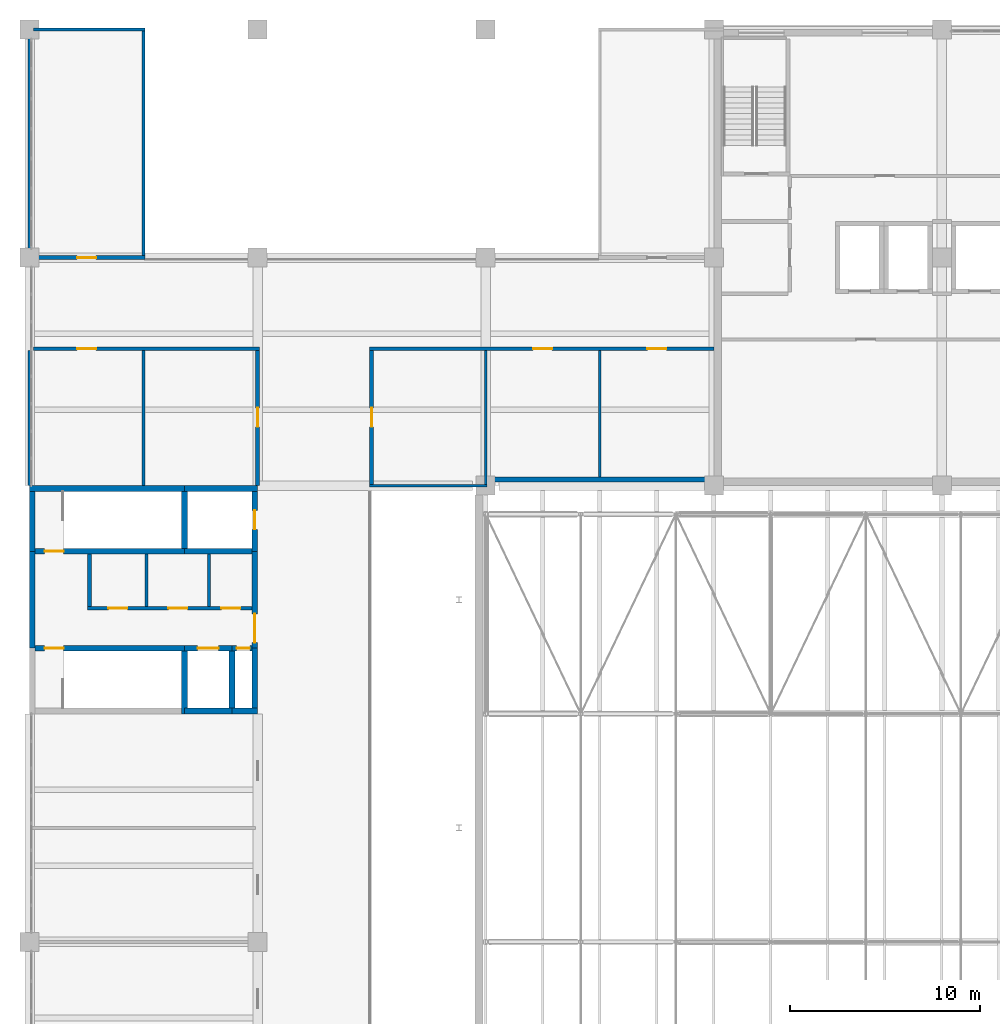
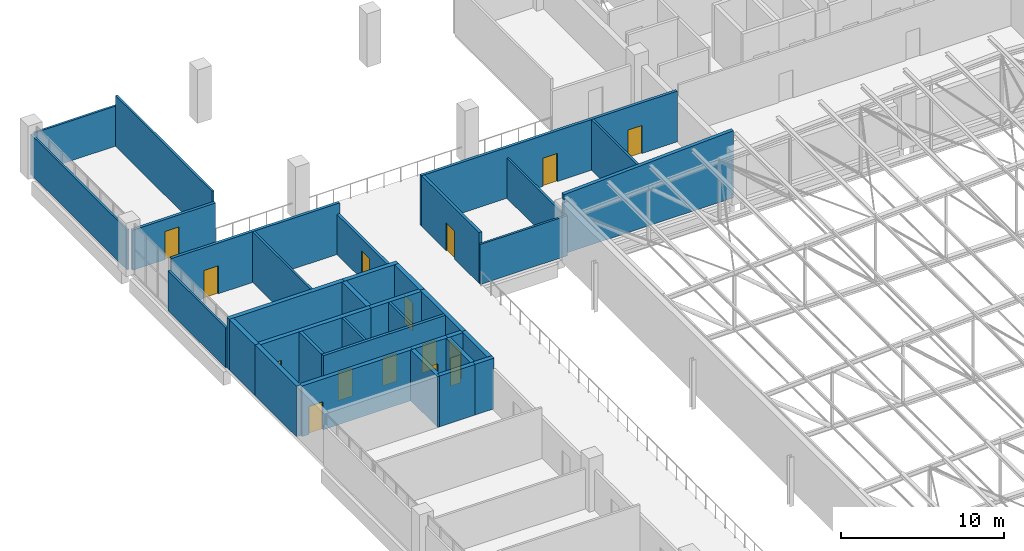
# One storey, part 147 of 156: 35 walls, 15 doors, 15 openings.
"""IFC4 building model written with IfcOpenShell, lengths in metres."""

from ifc_helpers import new_model, si_unit, direction, frame, frame_2d, origin, place, context, subcontext, project, spatial, polyline, rectangle, outline, extrude, material, layer, layer_set, type_object, element, fill, save


model = new_model("IFC4")

# Units and contexts
model_context = context("Model", 3, precision=1e-05, world=origin(), true_north=direction((0.0, 1.0)))
body_context = subcontext(model_context, "Body", "Model", "MODEL_VIEW")
ifc_project = project(units=[si_unit("LENGTHUNIT", "METRE"), si_unit("AREAUNIT", "SQUARE_METRE"), si_unit("VOLUMEUNIT", "CUBIC_METRE"), si_unit("PLANEANGLEUNIT", "RADIAN"), si_unit("MASSUNIT", "GRAM", prefix="KILO")], contexts=[model_context])

# Site, building, storey
site_placement = place(None, origin())
site = spatial("IfcSite", under=ifc_project, at=site_placement, CompositionType="ELEMENT")
building_placement = place(site_placement, origin())
building = spatial("IfcBuilding", under=site, at=building_placement, Name="Lilac Gate Convention Centre", CompositionType="ELEMENT")
storey_placement = place(building_placement, frame((0.0, 0.0, 17.0)))
storey = spatial("IfcBuildingStorey", under=building, at=storey_placement, Name="L03", CompositionType="ELEMENT", Elevation=17.0)

# Walls
ifc_material_1 = material(Name="Insulated sandwich panel, steel faces Q235, mineral wool core", Category="steel")
ifc_layer_1 = layer(ifc_material_1, 0.25)
ifc_layer_set_1 = layer_set([ifc_layer_1], Name="Insulated sandwich panel, steel faces Q235, mineral wool core")
wall_type_1 = type_object("IfcWallType", Name="Hall insulated wall panel 250", PredefinedType="STANDARD", material=ifc_layer_set_1)
wall_1_placement = place(storey_placement, frame((42.0, 222.324951171875, 0.0), z_axis=(0.0, 0.0, 1.0), x_axis=(-1.0, 0.0, 0.0)))
element("IfcWall", 1, at=wall_1_placement, inside=storey, type_object=wall_type_1, Name="External wall HX L03 gable", PredefinedType="STANDARD", context=body_context, shape_type="SweptSolid", body=[
    extrude(outline(polyline([(0.0, 0.0), (12.0, 0.0), (12.0, 4.42529296875), (0.0, 5.025146484375), (0.0, 0.0)])), frame((0.0, 0.125, 0.0), z_axis=(0.0, -1.0, 0.0), x_axis=(1.0, 0.0, 0.0)), (0.0, 0.0, 1.0), 0.25),
])
ifc_material_2 = material(Name="Fire-rated gypsum board on steel stud", Category="steel")
ifc_layer_2 = layer(ifc_material_2, 0.14990234375)
ifc_layer_set_2 = layer_set([ifc_layer_2], Name="Fire-rated gypsum board on steel stud")
wall_type_2 = type_object("IfcWallType", Name="Partition 150 fire-rated gypsum board EI 60", PredefinedType="PARTITIONING", material=ifc_layer_set_2)
wall_2_placement = place(storey_placement, frame((23.89990234375, 222.0, 0.0), z_axis=(0.0, 0.0, 1.0), x_axis=(1.0, 0.0, 0.0)))
element("IfcWall", 2, at=wall_2_placement, inside=storey, type_object=wall_type_2, Name="Partition 150 fire-rated gypsum board EI 60", PredefinedType="PARTITIONING", context=body_context, shape_type="SweptSolid", body=[
    extrude(rectangle(XDim=6.175048828125, YDim=0.14990234375, at=frame_2d((3.08740234375, 0.0))), origin(), (0.0, 0.0, 1.0), 3.0),
])
wall_3_placement = place(storey_placement, frame((6.199951171875, 246.0, 0.0), z_axis=(0.0, 0.0, 1.0), x_axis=(1.0, 0.0, 0.0)))
element("IfcWall", 3, at=wall_3_placement, inside=storey, type_object=wall_type_2, Name="Partition 150 fire-rated gypsum board EI 60", PredefinedType="PARTITIONING", context=body_context, shape_type="SweptSolid", body=[
    extrude(rectangle(XDim=5.875, YDim=0.14990234375, at=frame_2d((2.9375, 0.0))), origin(), (0.0, 0.0, 1.0), 3.0),
])
wall_4_placement = place(storey_placement, frame((6.0, 222.0, 0.0), z_axis=(0.0, 0.0, 1.0), x_axis=(0.0, 1.0, 0.0)))
element("IfcWall", 4, at=wall_4_placement, inside=storey, type_object=wall_type_2, Name="Partition 150 fire-rated gypsum board EI 60", PredefinedType="PARTITIONING", context=body_context, shape_type="SweptSolid", body=[
    extrude(rectangle(XDim=7.10009765625, YDim=0.14990234375, at=frame_2d((3.550048828125, 0.0))), origin(), (0.0, 0.0, 1.0), 3.0),
])
wall_5_placement = place(storey_placement, frame((6.0, 234.10009765625, 0.0), z_axis=(0.0, 0.0, 1.0), x_axis=(0.0, 1.0, 0.0)))
element("IfcWall", 5, at=wall_5_placement, inside=storey, type_object=wall_type_2, Name="Partition 150 fire-rated gypsum board EI 60", PredefinedType="PARTITIONING", context=body_context, shape_type="SweptSolid", body=[
    extrude(rectangle(XDim=11.824951171875, YDim=0.14990234375, at=frame_2d((5.91259765625, 0.0))), origin(), (0.0, 0.0, 1.0), 3.0),
])
wall_6_placement = place(storey_placement, frame((12.0, 222.0, 0.0), z_axis=(0.0, 0.0, 1.0), x_axis=(0.0, 1.0, 0.0)))
element("IfcWall", 6, at=wall_6_placement, inside=storey, type_object=wall_type_2, Name="Partition 150 fire-rated gypsum board EI 60", PredefinedType="PARTITIONING", context=body_context, shape_type="SweptSolid", body=[
    extrude(rectangle(XDim=7.10009765625, YDim=0.14990234375, at=frame_2d((3.550048828125, 0.0))), origin(), (0.0, 0.0, 1.0), 3.800048828125),
])
wall_7_placement = place(storey_placement, frame((12.0, 234.10009765625, 0.0), z_axis=(0.0, 0.0, 1.0), x_axis=(0.0, 1.0, 0.0)))
element("IfcWall", 7, at=wall_7_placement, inside=storey, type_object=wall_type_2, Name="Partition 150 fire-rated gypsum board EI 60", PredefinedType="PARTITIONING", context=body_context, shape_type="SweptSolid", body=[
    extrude(rectangle(XDim=11.824951171875, YDim=0.14990234375, at=frame_2d((5.91259765625, 0.0))), origin(), (0.0, 0.0, 1.0), 3.800048828125),
])
for number, where, z_axis, x_axis, name in (
    (8, (12.14990234375, 215.64990234375, 0.0), (0.0, 0.0, 1.0), (0.0, 1.0, 0.0), "Partition 150 fire-rated gypsum board EI 60"),
    (9, (15.449951171875, 215.64990234375, 0.0), (0.0, 0.0, 1.0), (0.0, 1.0, 0.0), "Partition 150 fire-rated gypsum board EI 60"),
):
    element("IfcWall", number, at=place(storey_placement, frame(where, z_axis=z_axis, x_axis=x_axis)), inside=storey, type_object=wall_type_2, Name=name, PredefinedType="PARTITIONING", context=body_context, shape_type="SweptSolid", body=[
        extrude(rectangle(XDim=2.75, YDim=0.14990234375, at=frame_2d((1.375, 0.0))), origin(), (0.0, 0.0, 1.0), 3.800048828125),
    ])
wall_8_placement = place(storey_placement, frame((30.0, 222.074951171875, 0.0), z_axis=(0.0, 0.0, 1.0), x_axis=(0.0, 1.0, 0.0)))
element("IfcWall", 10, at=wall_8_placement, inside=storey, type_object=wall_type_2, Name="Partition 150 fire-rated gypsum board EI 60", PredefinedType="PARTITIONING", context=body_context, shape_type="SweptSolid", body=[
    extrude(rectangle(XDim=7.025146484375, YDim=0.14990234375, at=frame_2d((3.5126953125, 0.0))), origin(), (0.0, 0.0, 1.0), 3.0),
])
wall_9_placement = place(storey_placement, frame((36.0, 222.449951171875, 0.0), z_axis=(0.0, 0.0, 1.0), x_axis=(0.0, 1.0, 0.0)))
element("IfcWall", 11, at=wall_9_placement, inside=storey, type_object=wall_type_2, Name="Partition 150 fire-rated gypsum board EI 60", PredefinedType="PARTITIONING", context=body_context, shape_type="SweptSolid", body=[
    extrude(rectangle(XDim=6.650146484375, YDim=0.14990234375, at=frame_2d((3.3251953125, 0.0))), origin(), (0.0, 0.0, 1.0), 3.800048828125),
])

# Wall, openings, doors
ifc_material_3 = material(Name="Clay brick masonry", Category="masonry")
ifc_layer_3 = layer(ifc_material_3, 0.199951171875)
ifc_layer_set_3 = layer_set([ifc_layer_3], Name="Clay brick masonry")
wall_type_3 = type_object("IfcWallType", Name="Partition 200 brick EI 60", PredefinedType="PARTITIONING", material=ifc_layer_set_3)
wall_10_placement = place(storey_placement, frame((9.050048828125, 215.550048828125, 0.0), z_axis=(0.0, 0.0, 1.0), x_axis=(1.0, 0.0, 0.0)))
wall_10 = element("IfcWall", 12, at=wall_10_placement, inside=storey, type_object=wall_type_3, Name="Partition 200 brick EI 60", PredefinedType="PARTITIONING", context=body_context, shape_type="SweptSolid", body=[
    extrude(rectangle(XDim=8.64990234375, YDim=0.199951171875, at=frame_2d((4.324951171875, 0.0))), origin(), (0.0, 0.0, 1.0), 3.800048828125),
])
opening_1_placement = place(wall_10_placement, frame((1.10009765625, 0.0, 0.0)))
opening_1 = element("IfcOpeningElement", 13, at=opening_1_placement, cuts=wall_10, Name="Opening L03-052", PredefinedType="OPENING", context=body_context, shape_type="SweptSolid", body=[
    extrude(rectangle(XDim=1.0, YDim=2.10009765625, at=frame_2d((0.5, 1.050048828125))), frame((0.0, 0.10986328125, 0.0), z_axis=(0.0, -1.0, 0.0), x_axis=(1.0, 0.0, 0.0)), (0.0, 0.0, 1.0), 0.219970703125),
])
opening_2_placement = place(wall_10_placement, frame((4.25, 0.0, 0.0)))
opening_2 = element("IfcOpeningElement", 14, at=opening_2_placement, cuts=wall_10, Name="Opening L03-053", PredefinedType="OPENING", context=body_context, shape_type="SweptSolid", body=[
    extrude(rectangle(XDim=1.0, YDim=2.10009765625, at=frame_2d((0.5, 1.050048828125))), frame((0.0, 0.10986328125, 0.0), z_axis=(0.0, -1.0, 0.0), x_axis=(1.0, 0.0, 0.0)), (0.0, 0.0, 1.0), 0.219970703125),
])
opening_3_placement = place(wall_10_placement, frame((7.050048828125, 0.0, 0.0)))
opening_3 = element("IfcOpeningElement", 15, at=opening_3_placement, cuts=wall_10, Name="Opening L03-054", PredefinedType="OPENING", context=body_context, shape_type="SweptSolid", body=[
    extrude(rectangle(XDim=1.0, YDim=2.10009765625, at=frame_2d((0.5, 1.050048828125))), frame((0.0, 0.10986328125, 0.0), z_axis=(0.0, -1.0, 0.0), x_axis=(1.0, 0.0, 0.0)), (0.0, 0.0, 1.0), 0.219970703125),
])
ifc_material_4 = material(Name="Timber fire door leaf", Category="wood")
door_type_1 = type_object("IfcDoorType", Name="Door 1000 x 2100 single leaf FD30", OperationType="SINGLE_SWING_LEFT", PredefinedType="DOOR", material=ifc_material_4)
door_1_placement = place(opening_1_placement, origin())
door_1 = element("IfcDoor", 16, at=door_1_placement, inside=storey, type_object=door_type_1, Name="WC door L03-052", OperationType="SINGLE_SWING_RIGHT", OverallHeight=2.10009765625, OverallWidth=1.0, PredefinedType="DOOR", context=body_context, shape_type="SweptSolid", body=[
    extrude(rectangle(XDim=1.0, YDim=2.10009765625, at=frame_2d((0.5, 1.050048828125))), frame((0.0, 0.02490234375, 0.0), z_axis=(0.0, -1.0, 0.0), x_axis=(1.0, 0.0, 0.0)), (0.0, 0.0, 1.0), 0.050048828125),
])
fill(opening_1, door_1)
door_2_placement = place(opening_2_placement, origin())
door_2 = element("IfcDoor", 17, at=door_2_placement, inside=storey, type_object=door_type_1, Name="WC door L03-053", OperationType="SINGLE_SWING_LEFT", OverallHeight=2.10009765625, OverallWidth=1.0, PredefinedType="DOOR", context=body_context, shape_type="SweptSolid", body=[
    extrude(rectangle(XDim=1.0, YDim=2.10009765625, at=frame_2d((0.5, 1.050048828125))), frame((0.0, 0.02490234375, 0.0), z_axis=(0.0, -1.0, 0.0), x_axis=(1.0, 0.0, 0.0)), (0.0, 0.0, 1.0), 0.050048828125),
])
fill(opening_2, door_2)
door_3_placement = place(opening_3_placement, origin())
door_3 = element("IfcDoor", 18, at=door_3_placement, inside=storey, type_object=door_type_1, Name="Accessible WC door L03-054", OperationType="SINGLE_SWING_LEFT", OverallHeight=2.10009765625, OverallWidth=1.0, PredefinedType="DOOR", context=body_context, shape_type="SweptSolid", body=[
    extrude(rectangle(XDim=1.0, YDim=2.10009765625, at=frame_2d((0.5, 1.050048828125))), frame((0.0, 0.02490234375, 0.0), z_axis=(0.0, -1.0, 0.0), x_axis=(1.0, 0.0, 0.0)), (0.0, 0.0, 1.0), 0.050048828125),
])
fill(opening_3, door_3)

# Wall, opening, door
wall_11_placement = place(storey_placement, frame((6.199951171875, 229.199951171875, 0.0), z_axis=(0.0, 0.0, 1.0), x_axis=(1.0, 0.0, 0.0)))
wall_11 = element("IfcWall", 19, at=wall_11_placement, inside=storey, type_object=wall_type_3, Name="Partition 200 brick EI 60", PredefinedType="PARTITIONING", context=body_context, shape_type="SweptSolid", body=[
    extrude(rectangle(XDim=11.900146484375, YDim=0.199951171875, at=frame_2d((5.9501953125, 0.0))), origin(), (0.0, 0.0, 1.0), 3.800048828125),
])
opening_4_placement = place(wall_11_placement, frame((2.300048828125, 0.0, 0.0)))
opening_4 = element("IfcOpeningElement", 20, at=opening_4_placement, cuts=wall_11, Name="Opening L03-059", PredefinedType="OPENING", context=body_context, shape_type="SweptSolid", body=[
    extrude(rectangle(XDim=1.0, YDim=2.10009765625, at=frame_2d((0.5, 1.050048828125))), frame((0.0, 0.10986328125, 0.0), z_axis=(0.0, -1.0, 0.0), x_axis=(1.0, 0.0, 0.0)), (0.0, 0.0, 1.0), 0.219970703125),
])
door_4_placement = place(opening_4_placement, frame((1.0, 0.0, 0.0), z_axis=(0.0, 0.0, 1.0), x_axis=(-1.0, 0.0, 0.0)))
door_4 = element("IfcDoor", 21, at=door_4_placement, inside=storey, type_object=door_type_1, Name="Office door L03-059", OperationType="SINGLE_SWING_LEFT", OverallHeight=2.10009765625, OverallWidth=1.0, PredefinedType="DOOR", context=body_context, shape_type="SweptSolid", body=[
    extrude(rectangle(XDim=1.0, YDim=2.10009765625, at=frame_2d((0.5, 1.050048828125))), frame((0.0, 0.02490234375, 0.0), z_axis=(0.0, -1.0, 0.0), x_axis=(1.0, 0.0, 0.0)), (0.0, 0.0, 1.0), 0.050048828125),
])
fill(opening_4, door_4)

# Wall, openings, doors
wall_12_placement = place(storey_placement, frame((23.89990234375, 229.199951171875, 0.0), z_axis=(0.0, 0.0, 1.0), x_axis=(1.0, 0.0, 0.0)))
wall_12 = element("IfcWall", 22, at=wall_12_placement, inside=storey, type_object=wall_type_3, Name="Partition 200 brick EI 60", PredefinedType="PARTITIONING", context=body_context, shape_type="SweptSolid", body=[
    extrude(rectangle(XDim=18.10009765625, YDim=0.199951171875, at=frame_2d((9.050048828125, 0.0))), origin(), (0.0, 0.0, 1.0), 3.800048828125),
])
opening_5_placement = place(wall_12_placement, frame((8.60009765625, 0.0, 0.0)))
opening_5 = element("IfcOpeningElement", 23, at=opening_5_placement, cuts=wall_12, Name="Opening L03-060", PredefinedType="OPENING", context=body_context, shape_type="SweptSolid", body=[
    extrude(rectangle(XDim=1.0, YDim=2.10009765625, at=frame_2d((0.5, 1.050048828125))), frame((0.0, 0.10986328125, 0.0), z_axis=(0.0, -1.0, 0.0), x_axis=(1.0, 0.0, 0.0)), (0.0, 0.0, 1.0), 0.219970703125),
])
opening_6_placement = place(wall_12_placement, frame((14.60009765625, 0.0, 0.0)))
opening_6 = element("IfcOpeningElement", 24, at=opening_6_placement, cuts=wall_12, Name="Opening L03-061", PredefinedType="OPENING", context=body_context, shape_type="SweptSolid", body=[
    extrude(rectangle(XDim=1.0, YDim=2.10009765625, at=frame_2d((0.5, 1.050048828125))), frame((0.0, 0.10986328125, 0.0), z_axis=(0.0, -1.0, 0.0), x_axis=(1.0, 0.0, 0.0)), (0.0, 0.0, 1.0), 0.219970703125),
])
door_5_placement = place(opening_5_placement, frame((1.0, 0.0, 0.0), z_axis=(0.0, 0.0, 1.0), x_axis=(-1.0, 0.0, 0.0)))
door_5 = element("IfcDoor", 25, at=door_5_placement, inside=storey, type_object=door_type_1, Name="Office door L03-060", OperationType="SINGLE_SWING_LEFT", OverallHeight=2.10009765625, OverallWidth=1.0, PredefinedType="DOOR", context=body_context, shape_type="SweptSolid", body=[
    extrude(rectangle(XDim=1.0, YDim=2.10009765625, at=frame_2d((0.5, 1.050048828125))), frame((0.0, 0.02490234375, 0.0), z_axis=(0.0, -1.0, 0.0), x_axis=(1.0, 0.0, 0.0)), (0.0, 0.0, 1.0), 0.050048828125),
])
fill(opening_5, door_5)
door_6_placement = place(opening_6_placement, frame((1.0, 0.0, 0.0), z_axis=(0.0, 0.0, 1.0), x_axis=(-1.0, 0.0, 0.0)))
door_6 = element("IfcDoor", 26, at=door_6_placement, inside=storey, type_object=door_type_1, Name="Office door L03-061", OperationType="SINGLE_SWING_LEFT", OverallHeight=2.10009765625, OverallWidth=1.0, PredefinedType="DOOR", context=body_context, shape_type="SweptSolid", body=[
    extrude(rectangle(XDim=1.0, YDim=2.10009765625, at=frame_2d((0.5, 1.050048828125))), frame((0.0, 0.02490234375, 0.0), z_axis=(0.0, -1.0, 0.0), x_axis=(1.0, 0.0, 0.0)), (0.0, 0.0, 1.0), 0.050048828125),
])
fill(opening_6, door_6)

# Wall, opening, door
wall_13_placement = place(storey_placement, frame((6.199951171875, 234.0, 0.0), z_axis=(0.0, 0.0, 1.0), x_axis=(1.0, 0.0, 0.0)))
wall_13 = element("IfcWall", 27, at=wall_13_placement, inside=storey, type_object=wall_type_3, Name="Partition 200 brick EI 60", PredefinedType="PARTITIONING", context=body_context, shape_type="SweptSolid", body=[
    extrude(rectangle(XDim=5.875, YDim=0.199951171875, at=frame_2d((2.9375, 0.0))), origin(), (0.0, 0.0, 1.0), 3.0),
])
opening_7_placement = place(wall_13_placement, frame((2.300048828125, 0.0, 0.0)))
opening_7 = element("IfcOpeningElement", 28, at=opening_7_placement, cuts=wall_13, Name="Opening L03-062", PredefinedType="OPENING", context=body_context, shape_type="SweptSolid", body=[
    extrude(rectangle(XDim=1.0, YDim=2.10009765625, at=frame_2d((0.5, 1.050048828125))), frame((0.0, 0.10986328125, 0.0), z_axis=(0.0, -1.0, 0.0), x_axis=(1.0, 0.0, 0.0)), (0.0, 0.0, 1.0), 0.219970703125),
])
door_7_placement = place(opening_7_placement, origin())
door_7 = element("IfcDoor", 29, at=door_7_placement, inside=storey, type_object=door_type_1, Name="Office door L03-062", OperationType="SINGLE_SWING_RIGHT", OverallHeight=2.10009765625, OverallWidth=1.0, PredefinedType="DOOR", context=body_context, shape_type="SweptSolid", body=[
    extrude(rectangle(XDim=1.0, YDim=2.10009765625, at=frame_2d((0.5, 1.050048828125))), frame((0.0, 0.02490234375, 0.0), z_axis=(0.0, -1.0, 0.0), x_axis=(1.0, 0.0, 0.0)), (0.0, 0.0, 1.0), 0.050048828125),
])
fill(opening_7, door_7)

# Wall
wall_14_placement = place(storey_placement, frame((9.14990234375, 215.64990234375, 0.0), z_axis=(0.0, 0.0, 1.0), x_axis=(0.0, 1.0, 0.0)))
element("IfcWall", 30, at=wall_14_placement, inside=storey, type_object=wall_type_3, Name="Partition 200 brick EI 60", PredefinedType="PARTITIONING", context=body_context, shape_type="SweptSolid", body=[
    extrude(rectangle(XDim=2.75, YDim=0.199951171875, at=frame_2d((1.375, 0.0))), origin(), (0.0, 0.0, 1.0), 3.800048828125),
])

# Wall, opening, door
wall_15_placement = place(storey_placement, frame((18.0, 222.0, 0.0), z_axis=(0.0, 0.0, 1.0), x_axis=(0.0, 1.0, 0.0)))
wall_15 = element("IfcWall", 31, at=wall_15_placement, inside=storey, type_object=wall_type_3, Name="Partition 200 brick EI 60", PredefinedType="PARTITIONING", context=body_context, shape_type="SweptSolid", body=[
    extrude(rectangle(XDim=7.10009765625, YDim=0.199951171875, at=frame_2d((3.550048828125, 0.0))), origin(), (0.0, 0.0, 1.0), 3.0),
])
opening_8_placement = place(wall_15_placement, frame((3.10009765625, 0.0, 0.0)))
opening_8 = element("IfcOpeningElement", 32, at=opening_8_placement, cuts=wall_15, Name="Opening L03-057", PredefinedType="OPENING", context=body_context, shape_type="SweptSolid", body=[
    extrude(rectangle(XDim=1.0, YDim=2.10009765625, at=frame_2d((0.5, 1.050048828125))), frame((0.0, 0.10986328125, 0.0), z_axis=(0.0, -1.0, 0.0), x_axis=(1.0, 0.0, 0.0)), (0.0, 0.0, 1.0), 0.219970703125),
])
door_8_placement = place(opening_8_placement, origin())
door_8 = element("IfcDoor", 33, at=door_8_placement, inside=storey, type_object=door_type_1, Name="Office door L03-057", OperationType="SINGLE_SWING_RIGHT", OverallHeight=2.10009765625, OverallWidth=1.0, PredefinedType="DOOR", context=body_context, shape_type="SweptSolid", body=[
    extrude(rectangle(XDim=1.0, YDim=2.10009765625, at=frame_2d((0.5, 1.050048828125))), frame((0.0, 0.02490234375, 0.0), z_axis=(0.0, -1.0, 0.0), x_axis=(1.0, 0.0, 0.0)), (0.0, 0.0, 1.0), 0.050048828125),
])
fill(opening_8, door_8)

wall_16_placement = place(storey_placement, frame((24.0, 222.074951171875, 0.0), z_axis=(0.0, 0.0, 1.0), x_axis=(0.0, 1.0, 0.0)))
wall_16 = element("IfcWall", 34, at=wall_16_placement, inside=storey, type_object=wall_type_3, Name="Partition 200 brick EI 60", PredefinedType="PARTITIONING", context=body_context, shape_type="SweptSolid", body=[
    extrude(rectangle(XDim=7.025146484375, YDim=0.199951171875, at=frame_2d((3.5126953125, 0.0))), origin(), (0.0, 0.0, 1.0), 3.800048828125),
])
opening_9_placement = place(wall_16_placement, frame((3.02490234375, 0.0, 0.0)))
opening_9 = element("IfcOpeningElement", 35, at=opening_9_placement, cuts=wall_16, Name="Opening L03-058", PredefinedType="OPENING", context=body_context, shape_type="SweptSolid", body=[
    extrude(rectangle(XDim=1.0, YDim=2.10009765625, at=frame_2d((0.5, 1.050048828125))), frame((0.0, 0.10986328125, 0.0), z_axis=(0.0, -1.0, 0.0), x_axis=(1.0, 0.0, 0.0)), (0.0, 0.0, 1.0), 0.219970703125),
])
door_9_placement = place(opening_9_placement, frame((1.0, 0.0, 0.0), z_axis=(0.0, 0.0, 1.0), x_axis=(-1.0, 0.0, 0.0)))
door_9 = element("IfcDoor", 36, at=door_9_placement, inside=storey, type_object=door_type_1, Name="Office door L03-058", OperationType="SINGLE_SWING_LEFT", OverallHeight=2.10009765625, OverallWidth=1.0, PredefinedType="DOOR", context=body_context, shape_type="SweptSolid", body=[
    extrude(rectangle(XDim=1.0, YDim=2.10009765625, at=frame_2d((0.5, 1.050048828125))), frame((0.0, 0.02490234375, 0.0), z_axis=(0.0, -1.0, 0.0), x_axis=(1.0, 0.0, 0.0)), (0.0, 0.0, 1.0), 0.050048828125),
])
fill(opening_9, door_9)

# Walls
ifc_material_5 = material(Name="Concrete C40", Category="concrete")
ifc_layer_4 = layer(ifc_material_5, 0.300048828125)
ifc_layer_set_4 = layer_set([ifc_layer_4], Name="Concrete C40")
wall_type_4 = type_object("IfcWallType", Name="Shear wall 300 C40", PredefinedType="SHEAR", material=ifc_layer_set_4)
wall_17_placement = place(storey_placement, frame((14.14990234375, 210.14990234375, 0.0), z_axis=(0.0, 0.0, 1.0), x_axis=(1.0, 0.0, 0.0)))
element("IfcWall", 37, at=wall_17_placement, inside=storey, type_object=wall_type_4, Name="SW1 shear wall W4 L03 2", PredefinedType="SHEAR", context=body_context, shape_type="SweptSolid", body=[
    extrude(rectangle(XDim=2.5, YDim=0.300048828125, at=frame_2d((1.25, 0.0))), origin(), (0.0, 0.0, 1.0), 3.800048828125),
])
wall_18_placement = place(storey_placement, frame((16.64990234375, 210.14990234375, 0.0), z_axis=(0.0, 0.0, 1.0), x_axis=(1.0, 0.0, 0.0)))
element("IfcWall", 38, at=wall_18_placement, inside=storey, type_object=wall_type_4, Name="SW1 shear wall W4 L03 3", PredefinedType="SHEAR", context=body_context, shape_type="SweptSolid", body=[
    extrude(rectangle(XDim=1.35009765625, YDim=0.300048828125, at=frame_2d((0.675048828125, 0.0))), origin(), (0.0, 0.0, 1.0), 3.800048828125),
])
wall_19_placement = place(storey_placement, frame((6.0, 221.85009765625, 0.0), z_axis=(0.0, 0.0, 1.0), x_axis=(1.0, 0.0, 0.0)))
element("IfcWall", 39, at=wall_19_placement, inside=storey, type_object=wall_type_4, Name="SW1 shear wall W4 L03 4", PredefinedType="SHEAR", context=body_context, shape_type="SweptSolid", body=[
    extrude(rectangle(XDim=8.14990234375, YDim=0.300048828125, at=frame_2d((4.074951171875, 0.0))), origin(), (0.0, 0.0, 1.0), 3.800048828125),
])
wall_20_placement = place(storey_placement, frame((14.14990234375, 221.85009765625, 0.0), z_axis=(0.0, 0.0, 1.0), x_axis=(1.0, 0.0, 0.0)))
element("IfcWall", 40, at=wall_20_placement, inside=storey, type_object=wall_type_4, Name="SW1 shear wall W4 L03 5", PredefinedType="SHEAR", context=body_context, shape_type="SweptSolid", body=[
    extrude(rectangle(XDim=3.85009765625, YDim=0.300048828125, at=frame_2d((1.925048828125, 0.0))), origin(), (0.0, 0.0, 1.0), 3.800048828125),
])

# Wall, opening, door
wall_21_placement = place(storey_placement, frame((6.300048828125, 213.449951171875, 0.0), z_axis=(0.0, 0.0, 1.0), x_axis=(1.0, 0.0, 0.0)))
wall_21 = element("IfcWall", 41, at=wall_21_placement, inside=storey, type_object=wall_type_4, Name="SW1 shear wall W4 L03 6", PredefinedType="SHEAR", context=body_context, shape_type="SweptSolid", body=[
    extrude(rectangle(XDim=7.849853515625, YDim=0.300048828125, at=frame_2d((3.9248046875, 0.0))), origin(), (0.0, 0.0, 1.0), 3.800048828125),
])
opening_10_placement = place(wall_21_placement, frame((0.5, 0.0, 0.0)))
opening_10 = element("IfcOpeningElement", 42, at=opening_10_placement, cuts=wall_21, Name="Opening L03-049", PredefinedType="OPENING", context=body_context, shape_type="SweptSolid", body=[
    extrude(rectangle(XDim=1.0, YDim=2.10009765625, at=frame_2d((0.5, 1.050048828125))), frame((0.0, 0.159912109375, 0.0), z_axis=(0.0, -1.0, 0.0), x_axis=(1.0, 0.0, 0.0)), (0.0, 0.0, 1.0), 0.320068359375),
])
door_type_2 = type_object("IfcDoorType", Name="Door 1000 x 2100 single leaf FD60", OperationType="SINGLE_SWING_LEFT", PredefinedType="DOOR", material=ifc_material_4)
door_10_placement = place(opening_10_placement, frame((1.0, 0.0, 0.0), z_axis=(0.0, 0.0, 1.0), x_axis=(-1.0, 0.0, 0.0)))
door_10 = element("IfcDoor", 43, at=door_10_placement, inside=storey, type_object=door_type_2, Name="Stair door L03-049", OperationType="SINGLE_SWING_LEFT", OverallHeight=2.10009765625, OverallWidth=1.0, PredefinedType="DOOR", context=body_context, shape_type="SweptSolid", body=[
    extrude(rectangle(XDim=1.0, YDim=2.10009765625, at=frame_2d((0.5, 1.050048828125))), frame((0.0, 0.02490234375, 0.0), z_axis=(0.0, -1.0, 0.0), x_axis=(1.0, 0.0, 0.0)), (0.0, 0.0, 1.0), 0.050048828125),
])
fill(opening_10, door_10)

wall_22_placement = place(storey_placement, frame((14.14990234375, 213.449951171875, 0.0), z_axis=(0.0, 0.0, 1.0), x_axis=(1.0, 0.0, 0.0)))
wall_22 = element("IfcWall", 44, at=wall_22_placement, inside=storey, type_object=wall_type_4, Name="SW1 shear wall W4 L03 7", PredefinedType="SHEAR", context=body_context, shape_type="SweptSolid", body=[
    extrude(rectangle(XDim=2.5, YDim=0.300048828125, at=frame_2d((1.25, 0.0))), origin(), (0.0, 0.0, 1.0), 3.800048828125),
])
opening_11_placement = place(wall_22_placement, frame((0.699951171875, 0.0, 0.0)))
opening_11 = element("IfcOpeningElement", 45, at=opening_11_placement, cuts=wall_22, Name="Opening LDW4-03", PredefinedType="OPENING", context=body_context, shape_type="SweptSolid", body=[
    extrude(rectangle(XDim=1.10009765625, YDim=2.10009765625, at=frame_2d((0.550048828125, 1.050048828125))), frame((0.0, 0.159912109375, 0.0), z_axis=(0.0, -1.0, 0.0), x_axis=(1.0, 0.0, 0.0)), (0.0, 0.0, 1.0), 0.320068359375),
])
ifc_material_6 = material(Name="Stainless steel 304", Category="steel")
door_type_3 = type_object("IfcDoorType", Name="Lift landing door 1100 x 2100", OperationType="SLIDING_TO_LEFT", PredefinedType="DOOR", material=ifc_material_6)
door_11_placement = place(opening_11_placement, origin())
door_11 = element("IfcDoor", 46, at=door_11_placement, inside=storey, type_object=door_type_3, Name="Lift landing door LDW4-03", OperationType="SLIDING_TO_LEFT", OverallHeight=2.10009765625, OverallWidth=1.10009765625, PredefinedType="DOOR", context=body_context, shape_type="SweptSolid", body=[
    extrude(rectangle(XDim=1.10009765625, YDim=2.10009765625, at=frame_2d((0.550048828125, 1.050048828125))), frame((0.0, 0.02490234375, 0.0), z_axis=(0.0, -1.0, 0.0), x_axis=(1.0, 0.0, 0.0)), (0.0, 0.0, 1.0), 0.050048828125),
])
fill(opening_11, door_11)

wall_23_placement = place(storey_placement, frame((16.64990234375, 213.449951171875, 0.0), z_axis=(0.0, 0.0, 1.0), x_axis=(1.0, 0.0, 0.0)))
wall_23 = element("IfcWall", 47, at=wall_23_placement, inside=storey, type_object=wall_type_4, Name="SW1 shear wall W4 L03 8", PredefinedType="SHEAR", context=body_context, shape_type="SweptSolid", body=[
    extrude(rectangle(XDim=1.050048828125, YDim=0.300048828125, at=frame_2d((0.52490234375, 0.0))), origin(), (0.0, 0.0, 1.0), 3.800048828125),
])
opening_12_placement = place(wall_23_placement, frame((0.25, 0.0, 0.0)))
opening_12 = element("IfcOpeningElement", 48, at=opening_12_placement, cuts=wall_23, Name="Opening L03-050", PredefinedType="OPENING", context=body_context, shape_type="SweptSolid", body=[
    extrude(rectangle(XDim=0.699951171875, YDim=2.10009765625, at=frame_2d((0.35009765625, 1.050048828125))), frame((0.0, 0.159912109375, 0.0), z_axis=(0.0, -1.0, 0.0), x_axis=(1.0, 0.0, 0.0)), (0.0, 0.0, 1.0), 0.320068359375),
])
door_type_4 = type_object("IfcDoorType", Name="Door 700 x 2100 single leaf FD30", OperationType="SINGLE_SWING_LEFT", PredefinedType="DOOR", material=ifc_material_4)
door_12_placement = place(opening_12_placement, frame((0.699951171875, 0.0, 0.0), z_axis=(0.0, 0.0, 1.0), x_axis=(-1.0, 0.0, 0.0)))
door_12 = element("IfcDoor", 49, at=door_12_placement, inside=storey, type_object=door_type_4, Name="Riser access door L03-050", OperationType="SINGLE_SWING_LEFT", OverallHeight=2.10009765625, OverallWidth=0.699951171875, PredefinedType="DOOR", context=body_context, shape_type="SweptSolid", body=[
    extrude(rectangle(XDim=0.699951171875, YDim=2.10009765625, at=frame_2d((0.35009765625, 1.050048828125))), frame((0.0, 0.02490234375, 0.0), z_axis=(0.0, -1.0, 0.0), x_axis=(1.0, 0.0, 0.0)), (0.0, 0.0, 1.0), 0.050048828125),
])
fill(opening_12, door_12)

wall_24_placement = place(storey_placement, frame((6.300048828125, 218.550048828125, 0.0), z_axis=(0.0, 0.0, 1.0), x_axis=(1.0, 0.0, 0.0)))
wall_24 = element("IfcWall", 50, at=wall_24_placement, inside=storey, type_object=wall_type_4, Name="SW1 shear wall W4 L03 9", PredefinedType="SHEAR", context=body_context, shape_type="SweptSolid", body=[
    extrude(rectangle(XDim=7.849853515625, YDim=0.300048828125, at=frame_2d((3.9248046875, 0.0))), origin(), (0.0, 0.0, 1.0), 3.800048828125),
])
opening_13_placement = place(wall_24_placement, frame((0.5, 0.0, 0.0)))
opening_13 = element("IfcOpeningElement", 51, at=opening_13_placement, cuts=wall_24, Name="Opening L03-055", PredefinedType="OPENING", context=body_context, shape_type="SweptSolid", body=[
    extrude(rectangle(XDim=1.0, YDim=2.10009765625, at=frame_2d((0.5, 1.050048828125))), frame((0.0, 0.159912109375, 0.0), z_axis=(0.0, -1.0, 0.0), x_axis=(1.0, 0.0, 0.0)), (0.0, 0.0, 1.0), 0.320068359375),
])
door_13_placement = place(opening_13_placement, origin())
door_13 = element("IfcDoor", 52, at=door_13_placement, inside=storey, type_object=door_type_2, Name="Stair door L03-055", OperationType="SINGLE_SWING_RIGHT", OverallHeight=2.10009765625, OverallWidth=1.0, PredefinedType="DOOR", context=body_context, shape_type="SweptSolid", body=[
    extrude(rectangle(XDim=1.0, YDim=2.10009765625, at=frame_2d((0.5, 1.050048828125))), frame((0.0, 0.02490234375, 0.0), z_axis=(0.0, -1.0, 0.0), x_axis=(1.0, 0.0, 0.0)), (0.0, 0.0, 1.0), 0.050048828125),
])
fill(opening_13, door_13)

# Walls
wall_25_placement = place(storey_placement, frame((14.14990234375, 218.550048828125, 0.0), z_axis=(0.0, 0.0, 1.0), x_axis=(1.0, 0.0, 0.0)))
element("IfcWall", 53, at=wall_25_placement, inside=storey, type_object=wall_type_4, Name="SW1 shear wall W4 L03 10", PredefinedType="SHEAR", context=body_context, shape_type="SweptSolid", body=[
    extrude(rectangle(XDim=3.550048828125, YDim=0.300048828125, at=frame_2d((1.77490234375, 0.0))), origin(), (0.0, 0.0, 1.0), 3.800048828125),
])
wall_26_placement = place(storey_placement, frame((6.14990234375, 213.449951171875, 0.0), z_axis=(0.0, 0.0, 1.0), x_axis=(0.0, 1.0, 0.0)))
element("IfcWall", 54, at=wall_26_placement, inside=storey, type_object=wall_type_4, Name="SW1 shear wall W4 L03 12", PredefinedType="SHEAR", context=body_context, shape_type="SweptSolid", body=[
    extrude(rectangle(XDim=5.10009765625, YDim=0.300048828125, at=frame_2d((2.550048828125, 0.0))), origin(), (0.0, 0.0, 1.0), 3.800048828125),
])
for number, where, z_axis, x_axis, name in (
    (55, (6.14990234375, 218.550048828125, 0.0), (0.0, 0.0, 1.0), (0.0, 1.0, 0.0), "SW1 shear wall W4 L03 13"),
    (56, (17.85009765625, 210.300048828125, 0.0), (0.0, 0.0, 1.0), (0.0, 1.0, 0.0), "SW1 shear wall W4 L03 14"),
):
    element("IfcWall", number, at=place(storey_placement, frame(where, z_axis=z_axis, x_axis=x_axis)), inside=storey, type_object=wall_type_4, Name=name, PredefinedType="SHEAR", context=body_context, shape_type="SweptSolid", body=[
        extrude(rectangle(XDim=3.14990234375, YDim=0.300048828125, at=frame_2d((1.574951171875, 0.0))), origin(), (0.0, 0.0, 1.0), 3.800048828125),
    ])

# Wall, opening, door
wall_27_placement = place(storey_placement, frame((17.85009765625, 213.449951171875, 0.0), z_axis=(0.0, 0.0, 1.0), x_axis=(0.0, 1.0, 0.0)))
wall_27 = element("IfcWall", 57, at=wall_27_placement, inside=storey, type_object=wall_type_4, Name="SW1 shear wall W4 L03 15", PredefinedType="SHEAR", context=body_context, shape_type="SweptSolid", body=[
    extrude(rectangle(XDim=5.10009765625, YDim=0.300048828125, at=frame_2d((2.550048828125, 0.0))), origin(), (0.0, 0.0, 1.0), 3.800048828125),
])
opening_14_placement = place(wall_27_placement, frame((0.300048828125, 0.0, 0.0)))
opening_14 = element("IfcOpeningElement", 58, at=opening_14_placement, cuts=wall_27, Name="Opening L03-051", PredefinedType="OPENING", context=body_context, shape_type="SweptSolid", body=[
    extrude(rectangle(XDim=1.5, YDim=2.10009765625, at=frame_2d((0.75, 1.050048828125))), frame((0.0, 0.159912109375, 0.0), z_axis=(0.0, -1.0, 0.0), x_axis=(1.0, 0.0, 0.0)), (0.0, 0.0, 1.0), 0.320068359375),
])
door_type_5 = type_object("IfcDoorType", Name="Door 1500 x 2100 double leaf FD30", OperationType="DOUBLE_DOOR_SINGLE_SWING", PredefinedType="DOOR", material=ifc_material_4)
door_14_placement = place(opening_14_placement, origin())
door_14 = element("IfcDoor", 59, at=door_14_placement, inside=storey, type_object=door_type_5, Name="Lobby door L03-051", OperationType="DOUBLE_DOOR_SINGLE_SWING", OverallHeight=2.10009765625, OverallWidth=1.5, PredefinedType="DOOR", context=body_context, shape_type="SweptSolid", body=[
    extrude(rectangle(XDim=1.5, YDim=2.10009765625, at=frame_2d((0.75, 1.050048828125))), frame((0.0, 0.02490234375, 0.0), z_axis=(0.0, -1.0, 0.0), x_axis=(1.0, 0.0, 0.0)), (0.0, 0.0, 1.0), 0.050048828125),
])
fill(opening_14, door_14)

wall_28_placement = place(storey_placement, frame((17.85009765625, 218.550048828125, 0.0), z_axis=(0.0, 0.0, 1.0), x_axis=(0.0, 1.0, 0.0)))
wall_28 = element("IfcWall", 60, at=wall_28_placement, inside=storey, type_object=wall_type_4, Name="SW1 shear wall W4 L03 16", PredefinedType="SHEAR", context=body_context, shape_type="SweptSolid", body=[
    extrude(rectangle(XDim=3.14990234375, YDim=0.300048828125, at=frame_2d((1.574951171875, 0.0))), origin(), (0.0, 0.0, 1.0), 3.800048828125),
])
opening_15_placement = place(wall_28_placement, frame((1.14990234375, 0.0, 0.0)))
opening_15 = element("IfcOpeningElement", 61, at=opening_15_placement, cuts=wall_28, Name="Opening L03-056", PredefinedType="OPENING", context=body_context, shape_type="SweptSolid", body=[
    extrude(rectangle(XDim=1.0, YDim=2.10009765625, at=frame_2d((0.5, 1.050048828125))), frame((0.0, 0.159912109375, 0.0), z_axis=(0.0, -1.0, 0.0), x_axis=(1.0, 0.0, 0.0)), (0.0, 0.0, 1.0), 0.320068359375),
])
door_15_placement = place(opening_15_placement, origin())
door_15 = element("IfcDoor", 62, at=door_15_placement, inside=storey, type_object=door_type_1, Name="Riser access door L03-056", OperationType="SINGLE_SWING_RIGHT", OverallHeight=2.10009765625, OverallWidth=1.0, PredefinedType="DOOR", context=body_context, shape_type="SweptSolid", body=[
    extrude(rectangle(XDim=1.0, YDim=2.10009765625, at=frame_2d((0.5, 1.050048828125))), frame((0.0, 0.02490234375, 0.0), z_axis=(0.0, -1.0, 0.0), x_axis=(1.0, 0.0, 0.0)), (0.0, 0.0, 1.0), 0.050048828125),
])
fill(opening_15, door_15)

# Walls
wall_29_placement = place(storey_placement, frame((14.14990234375, 210.0, 0.0), z_axis=(0.0, 0.0, 1.0), x_axis=(0.0, 1.0, 0.0)))
element("IfcWall", 63, at=wall_29_placement, inside=storey, type_object=wall_type_4, Name="SW1 shear wall W4 L03 17", PredefinedType="SHEAR", context=body_context, shape_type="SweptSolid", body=[
    extrude(rectangle(XDim=3.300048828125, YDim=0.300048828125, at=frame_2d((1.64990234375, 0.0))), origin(), (0.0, 0.0, 1.0), 3.800048828125),
])
for number, where, z_axis, x_axis, name in (
    (64, (14.14990234375, 218.699951171875, 0.0), (0.0, 0.0, 1.0), (0.0, 1.0, 0.0), "SW1 shear wall W4 L03 18"),
    (65, (16.64990234375, 210.300048828125, 0.0), (0.0, 0.0, 1.0), (0.0, 1.0, 0.0), "SW1 shear wall W4 L03 19"),
):
    element("IfcWall", number, at=place(storey_placement, frame(where, z_axis=z_axis, x_axis=x_axis)), inside=storey, type_object=wall_type_4, Name=name, PredefinedType="SHEAR", context=body_context, shape_type="SweptSolid", body=[
        extrude(rectangle(XDim=3.0, YDim=0.300048828125, at=frame_2d((1.5, 0.0))), origin(), (0.0, 0.0, 1.0), 3.800048828125),
    ])

save(model, "model.ifc")
